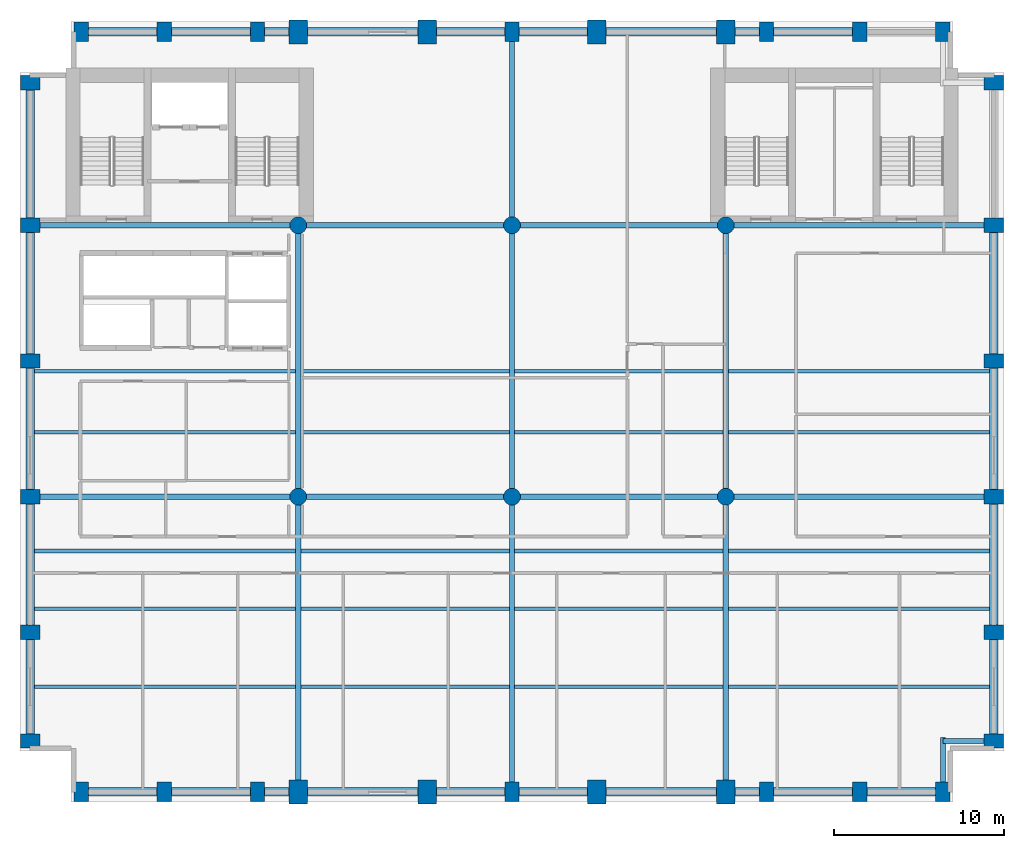
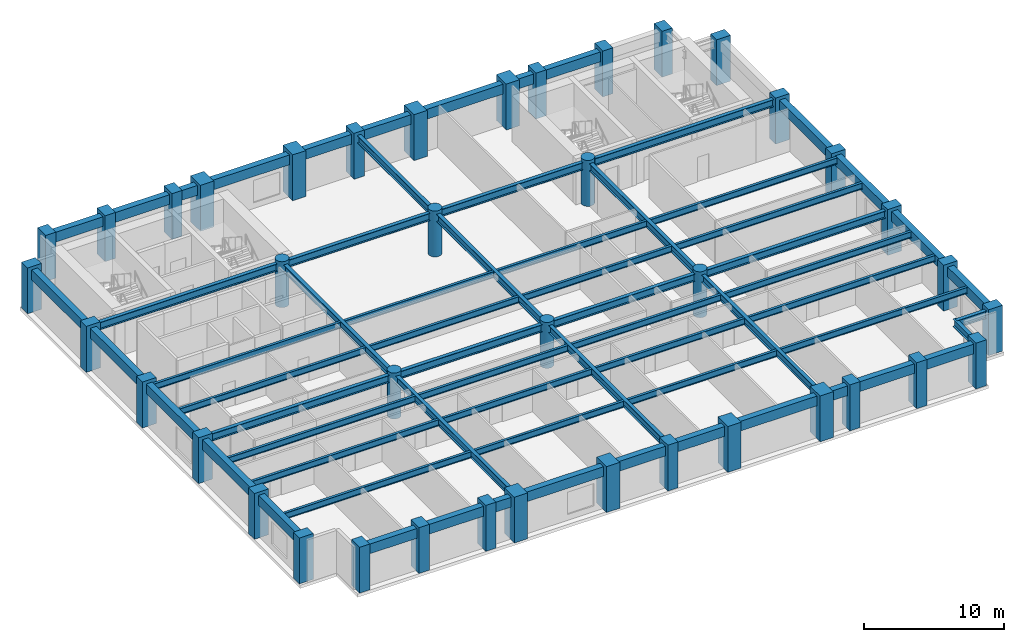
# One storey, part 1 of 8: 65 beams, 40 columns.
"""IFC4 building model written with IfcOpenShell, lengths in metres."""

from ifc_helpers import new_model, si_unit, direction, frame, origin, origin_2d, place, context, subcontext, project, spatial, rectangle, circle, i_section, extrude, material, material_profile, profile_set, type_object, element, save


model = new_model("IFC4")

# Units and contexts
model_context = context("Model", 3, precision=1e-05, world=origin(), true_north=direction((0.0, 1.0)))
body_context = subcontext(model_context, "Body", "Model", "MODEL_VIEW")
ifc_project = project(units=[si_unit("LENGTHUNIT", "METRE"), si_unit("AREAUNIT", "SQUARE_METRE"), si_unit("VOLUMEUNIT", "CUBIC_METRE"), si_unit("PLANEANGLEUNIT", "RADIAN"), si_unit("MASSUNIT", "GRAM", prefix="KILO")], contexts=[model_context])

# Site, building, storey
site_placement = place(None, origin())
site = spatial("IfcSite", under=ifc_project, at=site_placement, CompositionType="ELEMENT")
building_placement = place(site_placement, origin())
building = spatial("IfcBuilding", under=site, at=building_placement, Name="Sulina Concourse Tower", CompositionType="ELEMENT")
storey_placement = place(building_placement, frame((0.0, 0.0, 148.60009765625)))
storey = spatial("IfcBuildingStorey", under=building, at=storey_placement, Name="L36", CompositionType="ELEMENT", Elevation=148.60009765625)

# Columns
ifc_material_1 = material(Name="Concrete C60/75", Category="concrete")
ifc_material_profile_1 = material_profile(ifc_material_1, circle(Radius=0.5, at=origin_2d()), Name="RC D1000")
ifc_profile_set_1 = profile_set([ifc_material_profile_1], Name="Concrete C60/75")
column_type_1 = type_object("IfcColumnType", Name="Lower Interior Circular Column D1000", PredefinedType="COLUMN", material=ifc_profile_set_1)
for number, where, z_axis, x_axis, name in (
    (1, (16.39990234375, 18.0, 0.0), (0.0, 0.0, 1.0), (1.0, 0.0, 0.0), "L36 structural column IC-M-164"),
    (2, (16.39990234375, 34.0, 0.0), (0.0, 0.0, 1.0), (1.0, 0.0, 0.0), "L36 structural column IC-N-164"),
    (3, (29.0, 18.0, 0.0), (0.0, 0.0, 1.0), (1.0, 0.0, 0.0), "L36 structural column IC-M-290"),
    (4, (29.0, 34.0, 0.0), (0.0, 0.0, 1.0), (1.0, 0.0, 0.0), "L36 structural column IC-N-290"),
    (5, (41.60009765625, 18.0, 0.0), (0.0, 0.0, 1.0), (1.0, 0.0, 0.0), "L36 structural column IC-M-416"),
    (6, (41.60009765625, 34.0, 0.0), (0.0, 0.0, 1.0), (1.0, 0.0, 0.0), "L36 structural column IC-N-416"),
):
    element("IfcColumn", number, at=place(storey_placement, frame(where, z_axis=z_axis, x_axis=x_axis)), inside=storey, type_object=column_type_1, Name=name, PredefinedType="COLUMN", context=body_context, shape_type="SweptSolid", body=[
        extrude(circle(Radius=0.5, at=origin_2d()), origin(), (0.0, 0.0, 1.0), 4.0),
    ])
ifc_material_2 = material(Name="Concrete C60/75", Category="concrete")
ifc_material_profile_2 = material_profile(ifc_material_2, rectangle(XDim=1.10009765625, YDim=1.39990234375, at=origin_2d()), Name="RC 1100x1400")
ifc_profile_set_2 = profile_set([ifc_material_profile_2], Name="Concrete C60/75")
column_type_2 = type_object("IfcColumnType", Name="Mid-Rise Portal Column 1100x1400", PredefinedType="COLUMN", material=ifc_profile_set_2)
for number, where, z_axis, x_axis, name in (
    (7, (16.39990234375, 0.60009765625, 0.0), (0.0, 0.0, 1.0), (1.0, 0.0, 0.0), "L36 structural column TP-S-164"),
    (8, (16.39990234375, 45.39990234375, 0.0), (0.0, 0.0, 1.0), (1.0, 0.0, 0.0), "L36 structural column TP-N-164"),
    (9, (24.0, 0.60009765625, 0.0), (0.0, 0.0, 1.0), (1.0, 0.0, 0.0), "L36 structural column TP-S-240"),
    (10, (24.0, 45.39990234375, 0.0), (0.0, 0.0, 1.0), (1.0, 0.0, 0.0), "L36 structural column TP-N-240"),
    (11, (34.0, 0.60009765625, 0.0), (0.0, 0.0, 1.0), (1.0, 0.0, 0.0), "L36 structural column TP-S-340"),
    (12, (34.0, 45.39990234375, 0.0), (0.0, 0.0, 1.0), (1.0, 0.0, 0.0), "L36 structural column TP-N-340"),
    (13, (41.60009765625, 0.60009765625, 0.0), (0.0, 0.0, 1.0), (1.0, 0.0, 0.0), "L36 structural column TP-S-416"),
    (14, (41.60009765625, 45.39990234375, 0.0), (0.0, 0.0, 1.0), (1.0, 0.0, 0.0), "L36 structural column TP-N-416"),
):
    element("IfcColumn", number, at=place(storey_placement, frame(where, z_axis=z_axis, x_axis=x_axis)), inside=storey, type_object=column_type_2, Name=name, PredefinedType="COLUMN", context=body_context, shape_type="SweptSolid", body=[
        extrude(rectangle(XDim=1.10009765625, YDim=1.39990234375, at=origin_2d()), origin(), (0.0, 0.0, 1.0), 4.0),
    ])
ifc_material_3 = material(Name="Precast concrete C60/75", Category="concrete")
ifc_material_profile_3 = material_profile(ifc_material_3, rectangle(XDim=0.85009765625, YDim=1.14990234375, at=origin_2d()), Name="PC 850x1150")
ifc_profile_set_3 = profile_set([ifc_material_profile_3], Name="Precast concrete C60/75")
column_type_3 = type_object("IfcColumnType", Name="Precast Tube Pier Zone 2 850x1150", PredefinedType="COLUMN", material=ifc_profile_set_3)
for number, where, z_axis, x_axis, name in (
    (15, (3.60009765625, 0.60009765625, 0.0), (0.0, 0.0, 1.0), (1.0, 0.0, 0.0), "L36 structural column TP-S-36"),
    (16, (3.60009765625, 45.39990234375, 0.0), (0.0, 0.0, 1.0), (1.0, 0.0, 0.0), "L36 structural column TP-N-36"),
    (17, (8.5, 0.60009765625, 0.0), (0.0, 0.0, 1.0), (1.0, 0.0, 0.0), "L36 structural column TP-S-85"),
    (18, (8.5, 45.39990234375, 0.0), (0.0, 0.0, 1.0), (1.0, 0.0, 0.0), "L36 structural column TP-N-85"),
    (19, (14.0, 0.60009765625, 0.0), (0.0, 0.0, 1.0), (1.0, 0.0, 0.0), "L36 structural column TP-S-140"),
    (20, (14.0, 45.39990234375, 0.0), (0.0, 0.0, 1.0), (1.0, 0.0, 0.0), "L36 structural column TP-N-140"),
    (21, (29.0, 0.60009765625, 0.0), (0.0, 0.0, 1.0), (1.0, 0.0, 0.0), "L36 structural column TP-S-290"),
    (22, (29.0, 45.39990234375, 0.0), (0.0, 0.0, 1.0), (1.0, 0.0, 0.0), "L36 structural column TP-N-290"),
    (23, (44.0, 0.60009765625, 0.0), (0.0, 0.0, 1.0), (1.0, 0.0, 0.0), "L36 structural column TP-S-440"),
    (24, (44.0, 45.39990234375, 0.0), (0.0, 0.0, 1.0), (1.0, 0.0, 0.0), "L36 structural column TP-N-440"),
    (25, (49.5, 0.60009765625, 0.0), (0.0, 0.0, 1.0), (1.0, 0.0, 0.0), "L36 structural column TP-S-495"),
    (26, (49.5, 45.39990234375, 0.0), (0.0, 0.0, 1.0), (1.0, 0.0, 0.0), "L36 structural column TP-N-495"),
    (27, (54.39990234375, 0.60009765625, 0.0), (0.0, 0.0, 1.0), (1.0, 0.0, 0.0), "L36 structural column TP-S-544"),
    (28, (54.39990234375, 45.39990234375, 0.0), (0.0, 0.0, 1.0), (1.0, 0.0, 0.0), "L36 structural column TP-N-544"),
    (29, (0.60009765625, 3.60009765625, 0.0), (0.0, 0.0, 1.0), (0.0, 1.0, 0.0), "L36 structural column TP-W-36"),
    (30, (57.39990234375, 3.60009765625, 0.0), (0.0, 0.0, 1.0), (0.0, 1.0, 0.0), "L36 structural column TP-E-36"),
    (31, (0.60009765625, 10.0, 0.0), (0.0, 0.0, 1.0), (0.0, 1.0, 0.0), "L36 structural column TP-W-100"),
    (32, (57.39990234375, 10.0, 0.0), (0.0, 0.0, 1.0), (0.0, 1.0, 0.0), "L36 structural column TP-E-100"),
    (33, (0.60009765625, 18.0, 0.0), (0.0, 0.0, 1.0), (0.0, 1.0, 0.0), "L36 structural column TP-W-180"),
    (34, (57.39990234375, 18.0, 0.0), (0.0, 0.0, 1.0), (0.0, 1.0, 0.0), "L36 structural column TP-E-180"),
    (35, (0.60009765625, 26.0, 0.0), (0.0, 0.0, 1.0), (0.0, 1.0, 0.0), "L36 structural column TP-W-260"),
    (36, (57.39990234375, 26.0, 0.0), (0.0, 0.0, 1.0), (0.0, 1.0, 0.0), "L36 structural column TP-E-260"),
    (37, (0.60009765625, 34.0, 0.0), (0.0, 0.0, 1.0), (0.0, 1.0, 0.0), "L36 structural column TP-W-340"),
    (38, (57.39990234375, 34.0, 0.0), (0.0, 0.0, 1.0), (0.0, 1.0, 0.0), "L36 structural column TP-E-340"),
    (39, (0.60009765625, 42.39990234375, 0.0), (0.0, 0.0, 1.0), (0.0, 1.0, 0.0), "L36 structural column TP-W-424"),
    (40, (57.39990234375, 42.39990234375, 0.0), (0.0, 0.0, 1.0), (0.0, 1.0, 0.0), "L36 structural column TP-E-424"),
):
    element("IfcColumn", number, at=place(storey_placement, frame(where, z_axis=z_axis, x_axis=x_axis)), inside=storey, type_object=column_type_3, Name=name, PredefinedType="COLUMN", context=body_context, shape_type="SweptSolid", body=[
        extrude(rectangle(XDim=0.85009765625, YDim=1.14990234375, at=origin_2d()), origin(), (0.0, 0.0, 1.0), 4.0),
    ])

# Beams
ifc_material_4 = material(Name="Steel S355", Category="steel")
ifc_material_profile_4 = material_profile(ifc_material_4, i_section(OverallWidth=0.2099609375, OverallDepth=0.550048828125, WebThickness=0.010986328125, FlangeThickness=0.01708984375, at=origin_2d()), Name="IPE 550")
ifc_profile_set_4 = profile_set([ifc_material_profile_4], Name="Steel S355")
beam_type_1 = type_object("IfcBeamType", Name="Composite Floor Joist IPE550", PredefinedType="JOIST", material=ifc_profile_set_4)
beam_1_placement = place(storey_placement, frame((0.85009765625, 6.800048828125, 3.449951171875), z_axis=(1.0, 0.0, 0.0), x_axis=(0.0, 1.0, 0.0)))
element("IfcBeam", 41, at=beam_1_placement, inside=storey, type_object=beam_type_1, Name="FJ-J06-1-L36", PredefinedType="JOIST", context=body_context, shape_type="SweptSolid", body=[
    extrude(i_section(OverallWidth=0.2099609375, OverallDepth=0.550048828125, WebThickness=0.010986328125, FlangeThickness=0.01708984375, at=origin_2d()), origin(), (0.0, 0.0, 1.0), 15.39990234375),
])
for number, where, z_axis, x_axis, name in (
    (42, (16.550048828125, 6.800048828125, 3.449951171875), (1.0, 0.0, 0.0), (0.0, 1.0, 0.0), "FJ-J06-2-L36"),
    (43, (29.14990234375, 6.800048828125, 3.449951171875), (1.0, 0.0, 0.0), (0.0, 1.0, 0.0), "FJ-J06-3-L36"),
):
    element("IfcBeam", number, at=place(storey_placement, frame(where, z_axis=z_axis, x_axis=x_axis)), inside=storey, type_object=beam_type_1, Name=name, PredefinedType="JOIST", context=body_context, shape_type="SweptSolid", body=[
        extrude(i_section(OverallWidth=0.2099609375, OverallDepth=0.550048828125, WebThickness=0.010986328125, FlangeThickness=0.01708984375, at=origin_2d()), origin(), (0.0, 0.0, 1.0), 12.300048828125),
    ])
for number, where, z_axis, x_axis, name in (
    (44, (41.75, 6.800048828125, 3.449951171875), (1.0, 0.0, 0.0), (0.0, 1.0, 0.0), "FJ-J06-4-L36"),
    (45, (0.85009765625, 11.39990234375, 3.449951171875), (1.0, 0.0, 0.0), (0.0, 1.0, 0.0), "FJ-J11-1-L36"),
):
    element("IfcBeam", number, at=place(storey_placement, frame(where, z_axis=z_axis, x_axis=x_axis)), inside=storey, type_object=beam_type_1, Name=name, PredefinedType="JOIST", context=body_context, shape_type="SweptSolid", body=[
        extrude(i_section(OverallWidth=0.2099609375, OverallDepth=0.550048828125, WebThickness=0.010986328125, FlangeThickness=0.01708984375, at=origin_2d()), origin(), (0.0, 0.0, 1.0), 15.39990234375),
    ])
for number, where, z_axis, x_axis, name in (
    (46, (16.550048828125, 11.39990234375, 3.449951171875), (1.0, 0.0, 0.0), (0.0, 1.0, 0.0), "FJ-J11-2-L36"),
    (47, (29.14990234375, 11.39990234375, 3.449951171875), (1.0, 0.0, 0.0), (0.0, 1.0, 0.0), "FJ-J11-3-L36"),
):
    element("IfcBeam", number, at=place(storey_placement, frame(where, z_axis=z_axis, x_axis=x_axis)), inside=storey, type_object=beam_type_1, Name=name, PredefinedType="JOIST", context=body_context, shape_type="SweptSolid", body=[
        extrude(i_section(OverallWidth=0.2099609375, OverallDepth=0.550048828125, WebThickness=0.010986328125, FlangeThickness=0.01708984375, at=origin_2d()), origin(), (0.0, 0.0, 1.0), 12.300048828125),
    ])
for number, where, z_axis, x_axis, name in (
    (48, (41.75, 11.39990234375, 3.449951171875), (1.0, 0.0, 0.0), (0.0, 1.0, 0.0), "FJ-J11-4-L36"),
    (49, (0.85009765625, 14.800048828125, 3.449951171875), (1.0, 0.0, 0.0), (0.0, 1.0, 0.0), "FJ-J15-1-L36"),
):
    element("IfcBeam", number, at=place(storey_placement, frame(where, z_axis=z_axis, x_axis=x_axis)), inside=storey, type_object=beam_type_1, Name=name, PredefinedType="JOIST", context=body_context, shape_type="SweptSolid", body=[
        extrude(i_section(OverallWidth=0.2099609375, OverallDepth=0.550048828125, WebThickness=0.010986328125, FlangeThickness=0.01708984375, at=origin_2d()), origin(), (0.0, 0.0, 1.0), 15.39990234375),
    ])
for number, where, z_axis, x_axis, name in (
    (50, (16.550048828125, 14.800048828125, 3.449951171875), (1.0, 0.0, 0.0), (0.0, 1.0, 0.0), "FJ-J15-2-L36"),
    (51, (29.14990234375, 14.800048828125, 3.449951171875), (1.0, 0.0, 0.0), (0.0, 1.0, 0.0), "FJ-J15-3-L36"),
):
    element("IfcBeam", number, at=place(storey_placement, frame(where, z_axis=z_axis, x_axis=x_axis)), inside=storey, type_object=beam_type_1, Name=name, PredefinedType="JOIST", context=body_context, shape_type="SweptSolid", body=[
        extrude(i_section(OverallWidth=0.2099609375, OverallDepth=0.550048828125, WebThickness=0.010986328125, FlangeThickness=0.01708984375, at=origin_2d()), origin(), (0.0, 0.0, 1.0), 12.300048828125),
    ])
for number, where, z_axis, x_axis, name in (
    (52, (41.75, 14.800048828125, 3.449951171875), (1.0, 0.0, 0.0), (0.0, 1.0, 0.0), "FJ-J15-4-L36"),
    (53, (0.85009765625, 21.800048828125, 3.449951171875), (1.0, 0.0, 0.0), (0.0, 1.0, 0.0), "FJ-J22-1-L36"),
):
    element("IfcBeam", number, at=place(storey_placement, frame(where, z_axis=z_axis, x_axis=x_axis)), inside=storey, type_object=beam_type_1, Name=name, PredefinedType="JOIST", context=body_context, shape_type="SweptSolid", body=[
        extrude(i_section(OverallWidth=0.2099609375, OverallDepth=0.550048828125, WebThickness=0.010986328125, FlangeThickness=0.01708984375, at=origin_2d()), origin(), (0.0, 0.0, 1.0), 15.39990234375),
    ])
for number, where, z_axis, x_axis, name in (
    (54, (16.550048828125, 21.800048828125, 3.449951171875), (1.0, 0.0, 0.0), (0.0, 1.0, 0.0), "FJ-J22-2-L36"),
    (55, (29.14990234375, 21.800048828125, 3.449951171875), (1.0, 0.0, 0.0), (0.0, 1.0, 0.0), "FJ-J22-3-L36"),
):
    element("IfcBeam", number, at=place(storey_placement, frame(where, z_axis=z_axis, x_axis=x_axis)), inside=storey, type_object=beam_type_1, Name=name, PredefinedType="JOIST", context=body_context, shape_type="SweptSolid", body=[
        extrude(i_section(OverallWidth=0.2099609375, OverallDepth=0.550048828125, WebThickness=0.010986328125, FlangeThickness=0.01708984375, at=origin_2d()), origin(), (0.0, 0.0, 1.0), 12.300048828125),
    ])
for number, where, z_axis, x_axis, name in (
    (56, (41.75, 21.800048828125, 3.449951171875), (1.0, 0.0, 0.0), (0.0, 1.0, 0.0), "FJ-J22-4-L36"),
    (57, (0.85009765625, 25.39990234375, 3.449951171875), (1.0, 0.0, 0.0), (0.0, 1.0, 0.0), "FJ-J25-1-L36"),
):
    element("IfcBeam", number, at=place(storey_placement, frame(where, z_axis=z_axis, x_axis=x_axis)), inside=storey, type_object=beam_type_1, Name=name, PredefinedType="JOIST", context=body_context, shape_type="SweptSolid", body=[
        extrude(i_section(OverallWidth=0.2099609375, OverallDepth=0.550048828125, WebThickness=0.010986328125, FlangeThickness=0.01708984375, at=origin_2d()), origin(), (0.0, 0.0, 1.0), 15.39990234375),
    ])
for number, where, z_axis, x_axis, name in (
    (58, (16.550048828125, 25.39990234375, 3.449951171875), (1.0, 0.0, 0.0), (0.0, 1.0, 0.0), "FJ-J25-2-L36"),
    (59, (29.14990234375, 25.39990234375, 3.449951171875), (1.0, 0.0, 0.0), (0.0, 1.0, 0.0), "FJ-J25-3-L36"),
):
    element("IfcBeam", number, at=place(storey_placement, frame(where, z_axis=z_axis, x_axis=x_axis)), inside=storey, type_object=beam_type_1, Name=name, PredefinedType="JOIST", context=body_context, shape_type="SweptSolid", body=[
        extrude(i_section(OverallWidth=0.2099609375, OverallDepth=0.550048828125, WebThickness=0.010986328125, FlangeThickness=0.01708984375, at=origin_2d()), origin(), (0.0, 0.0, 1.0), 12.300048828125),
    ])
beam_2_placement = place(storey_placement, frame((41.75, 25.39990234375, 3.449951171875), z_axis=(1.0, 0.0, 0.0), x_axis=(0.0, 1.0, 0.0)))
element("IfcBeam", 60, at=beam_2_placement, inside=storey, type_object=beam_type_1, Name="FJ-J25-4-L36", PredefinedType="JOIST", context=body_context, shape_type="SweptSolid", body=[
    extrude(i_section(OverallWidth=0.2099609375, OverallDepth=0.550048828125, WebThickness=0.010986328125, FlangeThickness=0.01708984375, at=origin_2d()), origin(), (0.0, 0.0, 1.0), 15.39990234375),
])
ifc_material_5 = material(Name="Steel S355", Category="steel")
ifc_material_profile_5 = material_profile(ifc_material_5, i_section(OverallWidth=0.300048828125, OverallDepth=0.64990234375, WebThickness=0.01611328125, FlangeThickness=0.031005859375, at=origin_2d()), Name="HE 650 B")
ifc_profile_set_5 = profile_set([ifc_material_profile_5], Name="Steel S355")
beam_type_2 = type_object("IfcBeamType", Name="Floor Primary Girder Zone 2 HE650B", PredefinedType="BEAM", material=ifc_profile_set_5)
beam_3_placement = place(storey_placement, frame((54.39990234375, 3.60009765625, 3.39990234375), z_axis=(1.0, 0.0, 0.0), x_axis=(0.0, 1.0, 0.0)))
element("IfcBeam", 61, at=beam_3_placement, inside=storey, type_object=beam_type_2, Name="TIE-SE-L36", PredefinedType="BEAM", context=body_context, shape_type="SweptSolid", body=[
    extrude(i_section(OverallWidth=0.300048828125, OverallDepth=0.64990234375, WebThickness=0.01611328125, FlangeThickness=0.031005859375, at=origin_2d()), origin(), (0.0, 0.0, 1.0), 2.59521484375),
])
beam_4_placement = place(storey_placement, frame((54.39990234375, 1.0048828125, 3.39990234375), z_axis=(0.0, 1.0, 0.0), x_axis=(-1.0, 0.0, 0.0)))
element("IfcBeam", 62, at=beam_4_placement, inside=storey, type_object=beam_type_2, Name="TIE-SES-L36", PredefinedType="BEAM", context=body_context, shape_type="SweptSolid", body=[
    extrude(i_section(OverallWidth=0.300048828125, OverallDepth=0.64990234375, WebThickness=0.01611328125, FlangeThickness=0.031005859375, at=origin_2d()), origin(), (0.0, 0.0, 1.0), 2.795166015625),
])
beam_5_placement = place(storey_placement, frame((1.0048828125, 18.0, 3.39990234375), z_axis=(1.0, 0.0, 0.0), x_axis=(0.0, 1.0, 0.0)))
element("IfcBeam", 63, at=beam_5_placement, inside=storey, type_object=beam_type_2, Name="FG-EW1-L36", PredefinedType="BEAM", context=body_context, shape_type="SweptSolid", body=[
    extrude(i_section(OverallWidth=0.300048828125, OverallDepth=0.64990234375, WebThickness=0.01611328125, FlangeThickness=0.031005859375, at=origin_2d()), origin(), (0.0, 0.0, 1.0), 14.9150390625),
])
for number, where, z_axis, x_axis, name in (
    (64, (16.8798828125, 18.0, 3.39990234375), (1.0, 0.0, 0.0), (0.0, 1.0, 0.0), "FG-EW2-L36"),
    (65, (29.47998046875, 18.0, 3.39990234375), (1.0, 0.0, 0.0), (0.0, 1.0, 0.0), "FG-EW3-L36"),
):
    element("IfcBeam", number, at=place(storey_placement, frame(where, z_axis=z_axis, x_axis=x_axis)), inside=storey, type_object=beam_type_2, Name=name, PredefinedType="BEAM", context=body_context, shape_type="SweptSolid", body=[
        extrude(i_section(OverallWidth=0.300048828125, OverallDepth=0.64990234375, WebThickness=0.01611328125, FlangeThickness=0.031005859375, at=origin_2d()), origin(), (0.0, 0.0, 1.0), 11.64013671875),
    ])
for number, where, z_axis, x_axis, name in (
    (66, (42.080078125, 18.0, 3.39990234375), (1.0, 0.0, 0.0), (0.0, 1.0, 0.0), "FG-EW4-L36"),
    (67, (1.0048828125, 34.0, 3.39990234375), (1.0, 0.0, 0.0), (0.0, 1.0, 0.0), "FG-EWN1-L36"),
):
    element("IfcBeam", number, at=place(storey_placement, frame(where, z_axis=z_axis, x_axis=x_axis)), inside=storey, type_object=beam_type_2, Name=name, PredefinedType="BEAM", context=body_context, shape_type="SweptSolid", body=[
        extrude(i_section(OverallWidth=0.300048828125, OverallDepth=0.64990234375, WebThickness=0.01611328125, FlangeThickness=0.031005859375, at=origin_2d()), origin(), (0.0, 0.0, 1.0), 14.9150390625),
    ])
for number, where, z_axis, x_axis, name in (
    (68, (16.8798828125, 34.0, 3.39990234375), (1.0, 0.0, 0.0), (0.0, 1.0, 0.0), "FG-EWN2-L36"),
    (69, (29.47998046875, 34.0, 3.39990234375), (1.0, 0.0, 0.0), (0.0, 1.0, 0.0), "FG-EWN3-L36"),
):
    element("IfcBeam", number, at=place(storey_placement, frame(where, z_axis=z_axis, x_axis=x_axis)), inside=storey, type_object=beam_type_2, Name=name, PredefinedType="BEAM", context=body_context, shape_type="SweptSolid", body=[
        extrude(i_section(OverallWidth=0.300048828125, OverallDepth=0.64990234375, WebThickness=0.01611328125, FlangeThickness=0.031005859375, at=origin_2d()), origin(), (0.0, 0.0, 1.0), 11.64013671875),
    ])
beam_6_placement = place(storey_placement, frame((42.080078125, 34.0, 3.39990234375), z_axis=(1.0, 0.0, 0.0), x_axis=(0.0, 1.0, 0.0)))
element("IfcBeam", 70, at=beam_6_placement, inside=storey, type_object=beam_type_2, Name="FG-EWN4-L36", PredefinedType="BEAM", context=body_context, shape_type="SweptSolid", body=[
    extrude(i_section(OverallWidth=0.300048828125, OverallDepth=0.64990234375, WebThickness=0.01611328125, FlangeThickness=0.031005859375, at=origin_2d()), origin(), (0.0, 0.0, 1.0), 14.9150390625),
])
beam_7_placement = place(storey_placement, frame((16.39990234375, 1.1298828125, 3.39990234375), z_axis=(0.0, 1.0, 0.0), x_axis=(-1.0, 0.0, 0.0)))
element("IfcBeam", 71, at=beam_7_placement, inside=storey, type_object=beam_type_2, Name="FG-NSA-16-L36", PredefinedType="BEAM", context=body_context, shape_type="SweptSolid", body=[
    extrude(i_section(OverallWidth=0.300048828125, OverallDepth=0.64990234375, WebThickness=0.01611328125, FlangeThickness=0.031005859375, at=origin_2d()), origin(), (0.0, 0.0, 1.0), 16.39013671875),
])
beam_8_placement = place(storey_placement, frame((16.39990234375, 18.47998046875, 3.39990234375), z_axis=(0.0, 1.0, 0.0), x_axis=(-1.0, 0.0, 0.0)))
element("IfcBeam", 72, at=beam_8_placement, inside=storey, type_object=beam_type_2, Name="FG-NSB-16-L36", PredefinedType="BEAM", context=body_context, shape_type="SweptSolid", body=[
    extrude(i_section(OverallWidth=0.300048828125, OverallDepth=0.64990234375, WebThickness=0.01611328125, FlangeThickness=0.031005859375, at=origin_2d()), origin(), (0.0, 0.0, 1.0), 15.0400390625),
])
beam_9_placement = place(storey_placement, frame((29.0, 1.0048828125, 3.39990234375), z_axis=(0.0, 1.0, 0.0), x_axis=(-1.0, 0.0, 0.0)))
element("IfcBeam", 73, at=beam_9_placement, inside=storey, type_object=beam_type_2, Name="FG-NSA-29-L36", PredefinedType="BEAM", context=body_context, shape_type="SweptSolid", body=[
    extrude(i_section(OverallWidth=0.300048828125, OverallDepth=0.64990234375, WebThickness=0.01611328125, FlangeThickness=0.031005859375, at=origin_2d()), origin(), (0.0, 0.0, 1.0), 16.51513671875),
])
beam_10_placement = place(storey_placement, frame((29.0, 18.47998046875, 3.39990234375), z_axis=(0.0, 1.0, 0.0), x_axis=(-1.0, 0.0, 0.0)))
element("IfcBeam", 74, at=beam_10_placement, inside=storey, type_object=beam_type_2, Name="FG-NSB-29-L36", PredefinedType="BEAM", context=body_context, shape_type="SweptSolid", body=[
    extrude(i_section(OverallWidth=0.300048828125, OverallDepth=0.64990234375, WebThickness=0.01611328125, FlangeThickness=0.031005859375, at=origin_2d()), origin(), (0.0, 0.0, 1.0), 15.0400390625),
])
beam_11_placement = place(storey_placement, frame((29.0, 34.47998046875, 3.39990234375), z_axis=(0.0, 1.0, 0.0), x_axis=(-1.0, 0.0, 0.0)))
element("IfcBeam", 75, at=beam_11_placement, inside=storey, type_object=beam_type_2, Name="FG-NSC-29-L36", PredefinedType="BEAM", context=body_context, shape_type="SweptSolid", body=[
    extrude(i_section(OverallWidth=0.300048828125, OverallDepth=0.64990234375, WebThickness=0.01611328125, FlangeThickness=0.031005859375, at=origin_2d()), origin(), (0.0, 0.0, 1.0), 10.51513671875),
])
beam_12_placement = place(storey_placement, frame((41.60009765625, 1.1298828125, 3.39990234375), z_axis=(0.0, 1.0, 0.0), x_axis=(-1.0, 0.0, 0.0)))
element("IfcBeam", 76, at=beam_12_placement, inside=storey, type_object=beam_type_2, Name="FG-NSA-41-L36", PredefinedType="BEAM", context=body_context, shape_type="SweptSolid", body=[
    extrude(i_section(OverallWidth=0.300048828125, OverallDepth=0.64990234375, WebThickness=0.01611328125, FlangeThickness=0.031005859375, at=origin_2d()), origin(), (0.0, 0.0, 1.0), 16.39013671875),
])
beam_13_placement = place(storey_placement, frame((41.60009765625, 18.47998046875, 3.39990234375), z_axis=(0.0, 1.0, 0.0), x_axis=(-1.0, 0.0, 0.0)))
element("IfcBeam", 77, at=beam_13_placement, inside=storey, type_object=beam_type_2, Name="FG-NSB-41-L36", PredefinedType="BEAM", context=body_context, shape_type="SweptSolid", body=[
    extrude(i_section(OverallWidth=0.300048828125, OverallDepth=0.64990234375, WebThickness=0.01611328125, FlangeThickness=0.031005859375, at=origin_2d()), origin(), (0.0, 0.0, 1.0), 15.0400390625),
])
ifc_material_6 = material(Name="Precast concrete C50/60", Category="concrete")
ifc_material_profile_6 = material_profile(ifc_material_6, rectangle(XDim=0.5, YDim=0.85009765625, at=origin_2d()), Name="RC 500x850")
ifc_profile_set_6 = profile_set([ifc_material_profile_6], Name="Precast concrete C50/60")
beam_type_3 = type_object("IfcBeamType", Name="Lower Precast Spandrel Edge Beam 500x850", PredefinedType="BEAM", material=ifc_profile_set_6)
beam_14_placement = place(storey_placement, frame((4.0048828125, 0.60009765625, 3.2998046875), z_axis=(1.0, 0.0, 0.0), x_axis=(0.0, 1.0, 0.0)))
element("IfcBeam", 78, at=beam_14_placement, inside=storey, type_object=beam_type_3, Name="SP-S1-L36", PredefinedType="BEAM", context=body_context, shape_type="SweptSolid", body=[
    extrude(rectangle(XDim=0.5, YDim=0.85009765625, at=origin_2d()), origin(), (0.0, 0.0, 1.0), 4.090087890625),
])
beam_15_placement = place(storey_placement, frame((8.905029296875, 0.60009765625, 3.2998046875), z_axis=(1.0, 0.0, 0.0), x_axis=(0.0, 1.0, 0.0)))
element("IfcBeam", 79, at=beam_15_placement, inside=storey, type_object=beam_type_3, Name="SP-S2-L36", PredefinedType="BEAM", context=body_context, shape_type="SweptSolid", body=[
    extrude(rectangle(XDim=0.5, YDim=0.85009765625, at=origin_2d()), origin(), (0.0, 0.0, 1.0), 4.68994140625),
])
beam_16_placement = place(storey_placement, frame((14.405029296875, 0.60009765625, 3.2998046875), z_axis=(1.0, 0.0, 0.0), x_axis=(0.0, 1.0, 0.0)))
element("IfcBeam", 80, at=beam_16_placement, inside=storey, type_object=beam_type_3, Name="SP-S3-L36", PredefinedType="BEAM", context=body_context, shape_type="SweptSolid", body=[
    extrude(rectangle(XDim=0.5, YDim=0.85009765625, at=origin_2d()), origin(), (0.0, 0.0, 1.0), 1.465087890625),
])
beam_17_placement = place(storey_placement, frame((16.929931640625, 0.60009765625, 3.2998046875), z_axis=(1.0, 0.0, 0.0), x_axis=(0.0, 1.0, 0.0)))
element("IfcBeam", 81, at=beam_17_placement, inside=storey, type_object=beam_type_3, Name="SP-S4-L36", PredefinedType="BEAM", context=body_context, shape_type="SweptSolid", body=[
    extrude(rectangle(XDim=0.5, YDim=0.85009765625, at=origin_2d()), origin(), (0.0, 0.0, 1.0), 6.5400390625),
])
for number, where, z_axis, x_axis, name in (
    (82, (24.530029296875, 0.60009765625, 3.2998046875), (1.0, 0.0, 0.0), (0.0, 1.0, 0.0), "SP-S5-L36"),
    (83, (29.405029296875, 0.60009765625, 3.2998046875), (1.0, 0.0, 0.0), (0.0, 1.0, 0.0), "SP-S6-L36"),
):
    element("IfcBeam", number, at=place(storey_placement, frame(where, z_axis=z_axis, x_axis=x_axis)), inside=storey, type_object=beam_type_3, Name=name, PredefinedType="BEAM", context=body_context, shape_type="SweptSolid", body=[
        extrude(rectangle(XDim=0.5, YDim=0.85009765625, at=origin_2d()), origin(), (0.0, 0.0, 1.0), 4.06494140625),
    ])
beam_18_placement = place(storey_placement, frame((34.530029296875, 0.60009765625, 3.2998046875), z_axis=(1.0, 0.0, 0.0), x_axis=(0.0, 1.0, 0.0)))
element("IfcBeam", 84, at=beam_18_placement, inside=storey, type_object=beam_type_3, Name="SP-S7-L36", PredefinedType="BEAM", context=body_context, shape_type="SweptSolid", body=[
    extrude(rectangle(XDim=0.5, YDim=0.85009765625, at=origin_2d()), origin(), (0.0, 0.0, 1.0), 6.5400390625),
])
beam_19_placement = place(storey_placement, frame((42.1298828125, 0.60009765625, 3.2998046875), z_axis=(1.0, 0.0, 0.0), x_axis=(0.0, 1.0, 0.0)))
element("IfcBeam", 85, at=beam_19_placement, inside=storey, type_object=beam_type_3, Name="SP-S8-L36", PredefinedType="BEAM", context=body_context, shape_type="SweptSolid", body=[
    extrude(rectangle(XDim=0.5, YDim=0.85009765625, at=origin_2d()), origin(), (0.0, 0.0, 1.0), 1.465087890625),
])
beam_20_placement = place(storey_placement, frame((44.405029296875, 0.60009765625, 3.2998046875), z_axis=(1.0, 0.0, 0.0), x_axis=(0.0, 1.0, 0.0)))
element("IfcBeam", 86, at=beam_20_placement, inside=storey, type_object=beam_type_3, Name="SP-S9-L36", PredefinedType="BEAM", context=body_context, shape_type="SweptSolid", body=[
    extrude(rectangle(XDim=0.5, YDim=0.85009765625, at=origin_2d()), origin(), (0.0, 0.0, 1.0), 4.68994140625),
])
for number, where, z_axis, x_axis, name in (
    (87, (49.905029296875, 0.60009765625, 3.2998046875), (1.0, 0.0, 0.0), (0.0, 1.0, 0.0), "SP-S10-L36"),
    (88, (4.0048828125, 45.39990234375, 3.2998046875), (1.0, 0.0, 0.0), (0.0, 1.0, 0.0), "SP-N1-L36"),
):
    element("IfcBeam", number, at=place(storey_placement, frame(where, z_axis=z_axis, x_axis=x_axis)), inside=storey, type_object=beam_type_3, Name=name, PredefinedType="BEAM", context=body_context, shape_type="SweptSolid", body=[
        extrude(rectangle(XDim=0.5, YDim=0.85009765625, at=origin_2d()), origin(), (0.0, 0.0, 1.0), 4.090087890625),
    ])
beam_21_placement = place(storey_placement, frame((8.905029296875, 45.39990234375, 3.2998046875), z_axis=(1.0, 0.0, 0.0), x_axis=(0.0, 1.0, 0.0)))
element("IfcBeam", 89, at=beam_21_placement, inside=storey, type_object=beam_type_3, Name="SP-N2-L36", PredefinedType="BEAM", context=body_context, shape_type="SweptSolid", body=[
    extrude(rectangle(XDim=0.5, YDim=0.85009765625, at=origin_2d()), origin(), (0.0, 0.0, 1.0), 4.68994140625),
])
beam_22_placement = place(storey_placement, frame((14.405029296875, 45.39990234375, 3.2998046875), z_axis=(1.0, 0.0, 0.0), x_axis=(0.0, 1.0, 0.0)))
element("IfcBeam", 90, at=beam_22_placement, inside=storey, type_object=beam_type_3, Name="SP-N3-L36", PredefinedType="BEAM", context=body_context, shape_type="SweptSolid", body=[
    extrude(rectangle(XDim=0.5, YDim=0.85009765625, at=origin_2d()), origin(), (0.0, 0.0, 1.0), 1.465087890625),
])
beam_23_placement = place(storey_placement, frame((16.929931640625, 45.39990234375, 3.2998046875), z_axis=(1.0, 0.0, 0.0), x_axis=(0.0, 1.0, 0.0)))
element("IfcBeam", 91, at=beam_23_placement, inside=storey, type_object=beam_type_3, Name="SP-N4-L36", PredefinedType="BEAM", context=body_context, shape_type="SweptSolid", body=[
    extrude(rectangle(XDim=0.5, YDim=0.85009765625, at=origin_2d()), origin(), (0.0, 0.0, 1.0), 6.5400390625),
])
for number, where, z_axis, x_axis, name in (
    (92, (24.530029296875, 45.39990234375, 3.2998046875), (1.0, 0.0, 0.0), (0.0, 1.0, 0.0), "SP-N5-L36"),
    (93, (29.405029296875, 45.39990234375, 3.2998046875), (1.0, 0.0, 0.0), (0.0, 1.0, 0.0), "SP-N6-L36"),
):
    element("IfcBeam", number, at=place(storey_placement, frame(where, z_axis=z_axis, x_axis=x_axis)), inside=storey, type_object=beam_type_3, Name=name, PredefinedType="BEAM", context=body_context, shape_type="SweptSolid", body=[
        extrude(rectangle(XDim=0.5, YDim=0.85009765625, at=origin_2d()), origin(), (0.0, 0.0, 1.0), 4.06494140625),
    ])
beam_24_placement = place(storey_placement, frame((34.530029296875, 45.39990234375, 3.2998046875), z_axis=(1.0, 0.0, 0.0), x_axis=(0.0, 1.0, 0.0)))
element("IfcBeam", 94, at=beam_24_placement, inside=storey, type_object=beam_type_3, Name="SP-N7-L36", PredefinedType="BEAM", context=body_context, shape_type="SweptSolid", body=[
    extrude(rectangle(XDim=0.5, YDim=0.85009765625, at=origin_2d()), origin(), (0.0, 0.0, 1.0), 6.5400390625),
])
beam_25_placement = place(storey_placement, frame((42.1298828125, 45.39990234375, 3.2998046875), z_axis=(1.0, 0.0, 0.0), x_axis=(0.0, 1.0, 0.0)))
element("IfcBeam", 95, at=beam_25_placement, inside=storey, type_object=beam_type_3, Name="SP-N8-L36", PredefinedType="BEAM", context=body_context, shape_type="SweptSolid", body=[
    extrude(rectangle(XDim=0.5, YDim=0.85009765625, at=origin_2d()), origin(), (0.0, 0.0, 1.0), 1.465087890625),
])
beam_26_placement = place(storey_placement, frame((44.405029296875, 45.39990234375, 3.2998046875), z_axis=(1.0, 0.0, 0.0), x_axis=(0.0, 1.0, 0.0)))
element("IfcBeam", 96, at=beam_26_placement, inside=storey, type_object=beam_type_3, Name="SP-N9-L36", PredefinedType="BEAM", context=body_context, shape_type="SweptSolid", body=[
    extrude(rectangle(XDim=0.5, YDim=0.85009765625, at=origin_2d()), origin(), (0.0, 0.0, 1.0), 4.68994140625),
])
beam_27_placement = place(storey_placement, frame((0.60009765625, 4.0048828125, 3.2998046875), z_axis=(0.0, 1.0, 0.0), x_axis=(-1.0, 0.0, 0.0)))
element("IfcBeam", 97, at=beam_27_placement, inside=storey, type_object=beam_type_3, Name="SP-W1-L36", PredefinedType="BEAM", context=body_context, shape_type="SweptSolid", body=[
    extrude(rectangle(XDim=0.5, YDim=0.85009765625, at=origin_2d()), origin(), (0.0, 0.0, 1.0), 5.590087890625),
])
for number, where, z_axis, x_axis, name in (
    (98, (0.60009765625, 10.405029296875, 3.2998046875), (0.0, 1.0, 0.0), (-1.0, 0.0, 0.0), "SP-W2-L36"),
    (99, (0.60009765625, 18.405029296875, 3.2998046875), (0.0, 1.0, 0.0), (-1.0, 0.0, 0.0), "SP-W3-L36"),
    (100, (0.60009765625, 26.405029296875, 3.2998046875), (0.0, 1.0, 0.0), (-1.0, 0.0, 0.0), "SP-W4-L36"),
):
    element("IfcBeam", number, at=place(storey_placement, frame(where, z_axis=z_axis, x_axis=x_axis)), inside=storey, type_object=beam_type_3, Name=name, PredefinedType="BEAM", context=body_context, shape_type="SweptSolid", body=[
        extrude(rectangle(XDim=0.5, YDim=0.85009765625, at=origin_2d()), origin(), (0.0, 0.0, 1.0), 7.18994140625),
    ])
beam_28_placement = place(storey_placement, frame((0.60009765625, 34.405029296875, 3.2998046875), z_axis=(0.0, 1.0, 0.0), x_axis=(-1.0, 0.0, 0.0)))
element("IfcBeam", 101, at=beam_28_placement, inside=storey, type_object=beam_type_3, Name="SP-W5-L36", PredefinedType="BEAM", context=body_context, shape_type="SweptSolid", body=[
    extrude(rectangle(XDim=0.5, YDim=0.85009765625, at=origin_2d()), origin(), (0.0, 0.0, 1.0), 7.590087890625),
])
beam_29_placement = place(storey_placement, frame((57.39990234375, 4.0048828125, 3.2998046875), z_axis=(0.0, 1.0, 0.0), x_axis=(-1.0, 0.0, 0.0)))
element("IfcBeam", 102, at=beam_29_placement, inside=storey, type_object=beam_type_3, Name="SP-E1-L36", PredefinedType="BEAM", context=body_context, shape_type="SweptSolid", body=[
    extrude(rectangle(XDim=0.5, YDim=0.85009765625, at=origin_2d()), origin(), (0.0, 0.0, 1.0), 5.590087890625),
])
for number, where, z_axis, x_axis, name in (
    (103, (57.39990234375, 10.405029296875, 3.2998046875), (0.0, 1.0, 0.0), (-1.0, 0.0, 0.0), "SP-E2-L36"),
    (104, (57.39990234375, 18.405029296875, 3.2998046875), (0.0, 1.0, 0.0), (-1.0, 0.0, 0.0), "SP-E3-L36"),
    (105, (57.39990234375, 26.405029296875, 3.2998046875), (0.0, 1.0, 0.0), (-1.0, 0.0, 0.0), "SP-E4-L36"),
):
    element("IfcBeam", number, at=place(storey_placement, frame(where, z_axis=z_axis, x_axis=x_axis)), inside=storey, type_object=beam_type_3, Name=name, PredefinedType="BEAM", context=body_context, shape_type="SweptSolid", body=[
        extrude(rectangle(XDim=0.5, YDim=0.85009765625, at=origin_2d()), origin(), (0.0, 0.0, 1.0), 7.18994140625),
    ])

save(model, "model.ifc")
